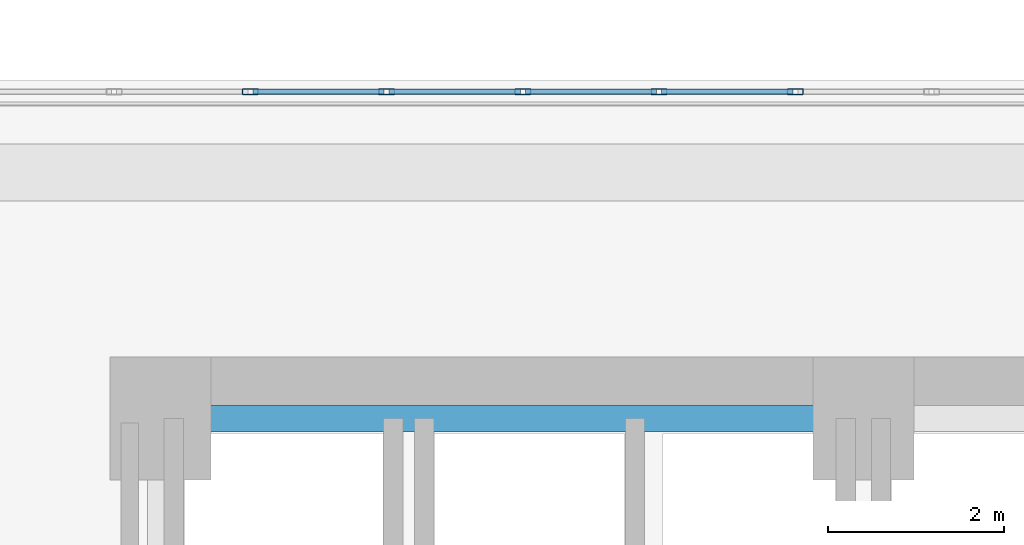
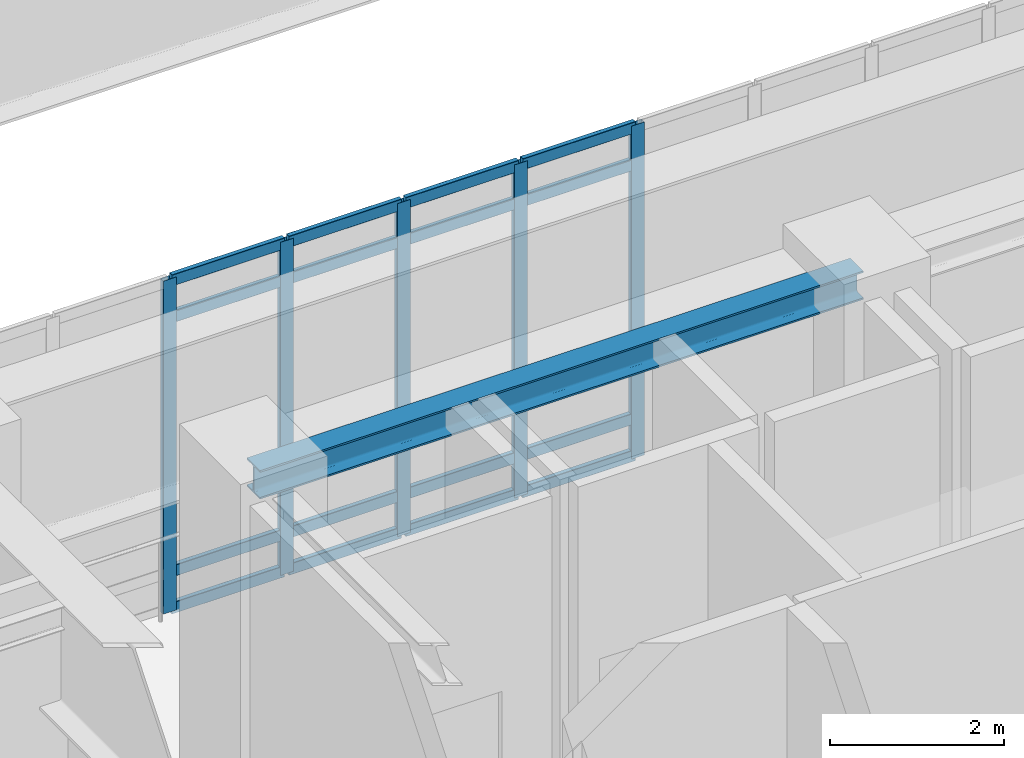
# One storey, part 10 of 25: 21 members, 1 beam, 1 element without a shape of its own.
"""IFC4 building model written with IfcOpenShell, lengths in metres."""

from ifc_helpers import new_model, si_unit, direction, frame, origin, origin_2d, place, context, subcontext, project, spatial, hollow_rectangle, i_section, extrude, material, layer, layer_set, material_profile, profile_set, type_object, element, aggregate, save


model = new_model("IFC4")

# Units and contexts
model_context = context("Model", 3, precision=1e-05, world=origin(), true_north=direction((0.0, 1.0)))
body_context = subcontext(model_context, "Body", "Model", "MODEL_VIEW")
ifc_project = project(units=[si_unit("LENGTHUNIT", "METRE"), si_unit("AREAUNIT", "SQUARE_METRE"), si_unit("VOLUMEUNIT", "CUBIC_METRE"), si_unit("PLANEANGLEUNIT", "RADIAN"), si_unit("MASSUNIT", "GRAM", prefix="KILO")], contexts=[model_context])

# Site, building, storey
site_placement = place(None, origin())
site = spatial("IfcSite", under=ifc_project, at=site_placement, CompositionType="ELEMENT")
building_placement = place(site_placement, origin())
building = spatial("IfcBuilding", under=site, at=building_placement, Name="Ndelora Gate Hotel", CompositionType="ELEMENT")
storey_placement = place(building_placement, frame((0.0, 0.0, 11.0)))
storey = spatial("IfcBuildingStorey", under=building, at=storey_placement, Name="L02", CompositionType="ELEMENT", Elevation=11.0)

# Beam
ifc_material_1 = material(Name="Steel S355", Category="steel")
ifc_material_profile_1 = material_profile(ifc_material_1, i_section(OverallWidth=0.300048828125, OverallDepth=0.39990234375, WebThickness=0.013427734375, FlangeThickness=0.02392578125, FilletRadius=0.027099609375, at=origin_2d()), Name="HEB 400")
ifc_profile_set_1 = profile_set([ifc_material_profile_1], Name="Steel S355")
beam_type = type_object("IfcBeamType", Name="BM-CORE-400", PredefinedType="BEAM", material=ifc_profile_set_1)
beam_placement = place(storey_placement, frame((-8.0, 6.60009765625, 4.4599609375), z_axis=(1.0, 0.0, 0.0), x_axis=(0.0, 1.0, 0.0)))
element("IfcBeam", 1, at=beam_placement, inside=storey, type_object=beam_type, Name="L02 Core Tie Girder CC7-CC6", PredefinedType="BEAM", context=body_context, shape_type="SweptSolid", body=[
    extrude(i_section(OverallWidth=0.300048828125, OverallDepth=0.39990234375, WebThickness=0.013427734375, FlangeThickness=0.02392578125, FilletRadius=0.027099609375, at=origin_2d()), origin(), (0.0, 0.0, 1.0), 8.0),
])

# Curtain wall, members
ifc_material_2 = material(Name="Bronze Anodised Unitised Aluminium and Low-E Glass", Category="aluminium")
ifc_layer = layer(ifc_material_2, 0.239990234375)
ifc_layer_set = layer_set([ifc_layer], Name="Bronze Anodised Unitised Aluminium and Low-E Glass")
curtain_wall_type = type_object("IfcCurtainWallType", Name="CW-SYS-1", PredefinedType="NOTDEFINED", material=ifc_layer_set)
curtain_wall_placement = place(storey_placement, origin())
curtain_wall = element("IfcCurtainWall", 2, at=curtain_wall_placement, inside=storey, type_object=curtain_wall_type, Name="L02 North Portal Arch Concourse Curtain Wall CW1", PredefinedType="NOTDEFINED")
ifc_material_3 = material(Name="Bronze Anodised Aluminium 6063-T6", Category="aluminium")
ifc_material_profile_2 = material_profile(ifc_material_3, hollow_rectangle(XDim=0.070068359375, YDim=0.179931640625, WallThickness=0.0048828125, InnerFilletRadius=0.0048828125, OuterFilletRadius=0.010009765625, at=origin_2d()), Name="ALU 180x70x5")
ifc_profile_set_2 = profile_set([ifc_material_profile_2], Name="Bronze Anodised Aluminium 6063-T6")
member_type_1 = type_object("IfcMemberType", Name="MB-CW-MUL180", PredefinedType="MULLION", material=ifc_profile_set_2)
member_1_placement = place(storey_placement, frame((-0.775390625, 10.320068359375, -0.00390625), z_axis=(0.0, 0.0, 1.0), x_axis=(0.0, -1.0, 0.0)))
member_1 = element("IfcMember", 3, at=member_1_placement, type_object=member_type_1, Name="CW1 mullion 8", PredefinedType="MULLION", context=body_context, shape_type="SweptSolid", body=[
    extrude(hollow_rectangle(XDim=0.070068359375, YDim=0.179931640625, WallThickness=0.0048828125, InnerFilletRadius=0.0048828125, OuterFilletRadius=0.010009765625, at=origin_2d()), origin(), (0.0, 0.0, 1.0), 4.66796875),
])
member_2_placement = place(storey_placement, frame((-2.326171875, 10.320068359375, -0.00390625), z_axis=(0.0, 0.0, 1.0), x_axis=(0.0, -1.0, 0.0)))
member_2 = element("IfcMember", 4, at=member_2_placement, type_object=member_type_1, Name="CW1 mullion 9", PredefinedType="MULLION", context=body_context, shape_type="SweptSolid", body=[
    extrude(hollow_rectangle(XDim=0.070068359375, YDim=0.179931640625, WallThickness=0.0048828125, InnerFilletRadius=0.0048828125, OuterFilletRadius=0.010009765625, at=origin_2d()), origin(), (0.0, 0.0, 1.0), 4.66796875),
])
member_3_placement = place(storey_placement, frame((-3.876953125, 10.320068359375, -0.00390625), z_axis=(0.0, 0.0, 1.0), x_axis=(0.0, -1.0, 0.0)))
member_3 = element("IfcMember", 5, at=member_3_placement, type_object=member_type_1, Name="CW1 mullion 10", PredefinedType="MULLION", context=body_context, shape_type="SweptSolid", body=[
    extrude(hollow_rectangle(XDim=0.070068359375, YDim=0.179931640625, WallThickness=0.0048828125, InnerFilletRadius=0.0048828125, OuterFilletRadius=0.010009765625, at=origin_2d()), origin(), (0.0, 0.0, 1.0), 4.66796875),
])
member_4_placement = place(storey_placement, frame((-5.427734375, 10.320068359375, -0.00390625), z_axis=(0.0, 0.0, 1.0), x_axis=(0.0, -1.0, 0.0)))
member_4 = element("IfcMember", 6, at=member_4_placement, type_object=member_type_1, Name="CW1 mullion 11", PredefinedType="MULLION", context=body_context, shape_type="SweptSolid", body=[
    extrude(hollow_rectangle(XDim=0.070068359375, YDim=0.179931640625, WallThickness=0.0048828125, InnerFilletRadius=0.0048828125, OuterFilletRadius=0.010009765625, at=origin_2d()), origin(), (0.0, 0.0, 1.0), 4.66796875),
])
member_5_placement = place(storey_placement, frame((-6.978515625, 10.320068359375, -0.00390625), z_axis=(0.0, 0.0, 1.0), x_axis=(0.0, -1.0, 0.0)))
member_5 = element("IfcMember", 7, at=member_5_placement, type_object=member_type_1, Name="CW1 mullion 12", PredefinedType="MULLION", context=body_context, shape_type="SweptSolid", body=[
    extrude(hollow_rectangle(XDim=0.070068359375, YDim=0.179931640625, WallThickness=0.0048828125, InnerFilletRadius=0.0048828125, OuterFilletRadius=0.010009765625, at=origin_2d()), origin(), (0.0, 0.0, 1.0), 4.66796875),
])
ifc_material_profile_3 = material_profile(ifc_material_3, hollow_rectangle(XDim=0.06494140625, YDim=0.159912109375, WallThickness=0.00390625, InnerFilletRadius=0.00390625, OuterFilletRadius=0.008056640625, at=origin_2d()), Name="ALU 160x65x4")
ifc_profile_set_3 = profile_set([ifc_material_profile_3], Name="Bronze Anodised Aluminium 6063-T6")
member_type_2 = type_object("IfcMemberType", Name="MB-CW-TRN150", PredefinedType="USERDEFINED", material=ifc_profile_set_3)
member_6_placement = place(storey_placement, frame((-0.804443359375, 10.320068359375, 0.032470703125), z_axis=(-1.0, 0.0, 0.0), x_axis=(0.0, -1.0, 0.0)))
member_6 = element("IfcMember", 8, at=member_6_placement, type_object=member_type_2, Name="CW1 transom 8.1", ObjectType="TRANSOM", PredefinedType="USERDEFINED", context=body_context, shape_type="SweptSolid", body=[
    extrude(hollow_rectangle(XDim=0.06494140625, YDim=0.159912109375, WallThickness=0.00390625, InnerFilletRadius=0.00390625, OuterFilletRadius=0.008056640625, at=origin_2d()), origin(), (0.0, 0.0, 1.0), 1.49267578125),
])
member_7_placement = place(storey_placement, frame((-0.804443359375, 10.320068359375, 0.550048828125), z_axis=(-1.0, 0.0, 0.0), x_axis=(0.0, -1.0, 0.0)))
member_7 = element("IfcMember", 9, at=member_7_placement, type_object=member_type_2, Name="CW1 transom 8.2", ObjectType="TRANSOM", PredefinedType="USERDEFINED", context=body_context, shape_type="SweptSolid", body=[
    extrude(hollow_rectangle(XDim=0.06494140625, YDim=0.159912109375, WallThickness=0.00390625, InnerFilletRadius=0.00390625, OuterFilletRadius=0.008056640625, at=origin_2d()), origin(), (0.0, 0.0, 1.0), 1.49267578125),
])
member_8_placement = place(storey_placement, frame((-0.804443359375, 10.320068359375, 4.110107421875), z_axis=(-1.0, 0.0, 0.0), x_axis=(0.0, -1.0, 0.0)))
member_8 = element("IfcMember", 10, at=member_8_placement, type_object=member_type_2, Name="CW1 transom 8.3", ObjectType="TRANSOM", PredefinedType="USERDEFINED", context=body_context, shape_type="SweptSolid", body=[
    extrude(hollow_rectangle(XDim=0.06494140625, YDim=0.159912109375, WallThickness=0.00390625, InnerFilletRadius=0.00390625, OuterFilletRadius=0.008056640625, at=origin_2d()), origin(), (0.0, 0.0, 1.0), 1.49267578125),
])
member_9_placement = place(storey_placement, frame((-0.804443359375, 10.320068359375, 4.62744140625), z_axis=(-1.0, 0.0, 0.0), x_axis=(0.0, -1.0, 0.0)))
member_9 = element("IfcMember", 11, at=member_9_placement, type_object=member_type_2, Name="CW1 transom 8.4", ObjectType="TRANSOM", PredefinedType="USERDEFINED", context=body_context, shape_type="SweptSolid", body=[
    extrude(hollow_rectangle(XDim=0.06494140625, YDim=0.159912109375, WallThickness=0.00390625, InnerFilletRadius=0.00390625, OuterFilletRadius=0.008056640625, at=origin_2d()), origin(), (0.0, 0.0, 1.0), 1.49267578125),
])
member_10_placement = place(storey_placement, frame((-2.355224609375, 10.320068359375, 0.032470703125), z_axis=(-1.0, 0.0, 0.0), x_axis=(0.0, -1.0, 0.0)))
member_10 = element("IfcMember", 12, at=member_10_placement, type_object=member_type_2, Name="CW1 transom 9.1", ObjectType="TRANSOM", PredefinedType="USERDEFINED", context=body_context, shape_type="SweptSolid", body=[
    extrude(hollow_rectangle(XDim=0.06494140625, YDim=0.159912109375, WallThickness=0.00390625, InnerFilletRadius=0.00390625, OuterFilletRadius=0.008056640625, at=origin_2d()), origin(), (0.0, 0.0, 1.0), 1.49267578125),
])
member_11_placement = place(storey_placement, frame((-2.355224609375, 10.320068359375, 0.550048828125), z_axis=(-1.0, 0.0, 0.0), x_axis=(0.0, -1.0, 0.0)))
member_11 = element("IfcMember", 13, at=member_11_placement, type_object=member_type_2, Name="CW1 transom 9.2", ObjectType="TRANSOM", PredefinedType="USERDEFINED", context=body_context, shape_type="SweptSolid", body=[
    extrude(hollow_rectangle(XDim=0.06494140625, YDim=0.159912109375, WallThickness=0.00390625, InnerFilletRadius=0.00390625, OuterFilletRadius=0.008056640625, at=origin_2d()), origin(), (0.0, 0.0, 1.0), 1.49267578125),
])
member_12_placement = place(storey_placement, frame((-2.355224609375, 10.320068359375, 4.110107421875), z_axis=(-1.0, 0.0, 0.0), x_axis=(0.0, -1.0, 0.0)))
member_12 = element("IfcMember", 14, at=member_12_placement, type_object=member_type_2, Name="CW1 transom 9.3", ObjectType="TRANSOM", PredefinedType="USERDEFINED", context=body_context, shape_type="SweptSolid", body=[
    extrude(hollow_rectangle(XDim=0.06494140625, YDim=0.159912109375, WallThickness=0.00390625, InnerFilletRadius=0.00390625, OuterFilletRadius=0.008056640625, at=origin_2d()), origin(), (0.0, 0.0, 1.0), 1.49267578125),
])
member_13_placement = place(storey_placement, frame((-2.355224609375, 10.320068359375, 4.62744140625), z_axis=(-1.0, 0.0, 0.0), x_axis=(0.0, -1.0, 0.0)))
member_13 = element("IfcMember", 15, at=member_13_placement, type_object=member_type_2, Name="CW1 transom 9.4", ObjectType="TRANSOM", PredefinedType="USERDEFINED", context=body_context, shape_type="SweptSolid", body=[
    extrude(hollow_rectangle(XDim=0.06494140625, YDim=0.159912109375, WallThickness=0.00390625, InnerFilletRadius=0.00390625, OuterFilletRadius=0.008056640625, at=origin_2d()), origin(), (0.0, 0.0, 1.0), 1.49267578125),
])
member_14_placement = place(storey_placement, frame((-3.906005859375, 10.320068359375, 0.032470703125), z_axis=(-1.0, 0.0, 0.0), x_axis=(0.0, -1.0, 0.0)))
member_14 = element("IfcMember", 16, at=member_14_placement, type_object=member_type_2, Name="CW1 transom 10.1", ObjectType="TRANSOM", PredefinedType="USERDEFINED", context=body_context, shape_type="SweptSolid", body=[
    extrude(hollow_rectangle(XDim=0.06494140625, YDim=0.159912109375, WallThickness=0.00390625, InnerFilletRadius=0.00390625, OuterFilletRadius=0.008056640625, at=origin_2d()), origin(), (0.0, 0.0, 1.0), 1.49267578125),
])
member_15_placement = place(storey_placement, frame((-3.906005859375, 10.320068359375, 0.550048828125), z_axis=(-1.0, 0.0, 0.0), x_axis=(0.0, -1.0, 0.0)))
member_15 = element("IfcMember", 17, at=member_15_placement, type_object=member_type_2, Name="CW1 transom 10.2", ObjectType="TRANSOM", PredefinedType="USERDEFINED", context=body_context, shape_type="SweptSolid", body=[
    extrude(hollow_rectangle(XDim=0.06494140625, YDim=0.159912109375, WallThickness=0.00390625, InnerFilletRadius=0.00390625, OuterFilletRadius=0.008056640625, at=origin_2d()), origin(), (0.0, 0.0, 1.0), 1.49267578125),
])
member_16_placement = place(storey_placement, frame((-3.906005859375, 10.320068359375, 4.110107421875), z_axis=(-1.0, 0.0, 0.0), x_axis=(0.0, -1.0, 0.0)))
member_16 = element("IfcMember", 18, at=member_16_placement, type_object=member_type_2, Name="CW1 transom 10.3", ObjectType="TRANSOM", PredefinedType="USERDEFINED", context=body_context, shape_type="SweptSolid", body=[
    extrude(hollow_rectangle(XDim=0.06494140625, YDim=0.159912109375, WallThickness=0.00390625, InnerFilletRadius=0.00390625, OuterFilletRadius=0.008056640625, at=origin_2d()), origin(), (0.0, 0.0, 1.0), 1.49267578125),
])
member_17_placement = place(storey_placement, frame((-3.906005859375, 10.320068359375, 4.62744140625), z_axis=(-1.0, 0.0, 0.0), x_axis=(0.0, -1.0, 0.0)))
member_17 = element("IfcMember", 19, at=member_17_placement, type_object=member_type_2, Name="CW1 transom 10.4", ObjectType="TRANSOM", PredefinedType="USERDEFINED", context=body_context, shape_type="SweptSolid", body=[
    extrude(hollow_rectangle(XDim=0.06494140625, YDim=0.159912109375, WallThickness=0.00390625, InnerFilletRadius=0.00390625, OuterFilletRadius=0.008056640625, at=origin_2d()), origin(), (0.0, 0.0, 1.0), 1.49267578125),
])
member_18_placement = place(storey_placement, frame((-5.456787109375, 10.320068359375, 0.032470703125), z_axis=(-1.0, 0.0, 0.0), x_axis=(0.0, -1.0, 0.0)))
member_18 = element("IfcMember", 20, at=member_18_placement, type_object=member_type_2, Name="CW1 transom 11.1", ObjectType="TRANSOM", PredefinedType="USERDEFINED", context=body_context, shape_type="SweptSolid", body=[
    extrude(hollow_rectangle(XDim=0.06494140625, YDim=0.159912109375, WallThickness=0.00390625, InnerFilletRadius=0.00390625, OuterFilletRadius=0.008056640625, at=origin_2d()), origin(), (0.0, 0.0, 1.0), 1.49267578125),
])
member_19_placement = place(storey_placement, frame((-5.456787109375, 10.320068359375, 0.550048828125), z_axis=(-1.0, 0.0, 0.0), x_axis=(0.0, -1.0, 0.0)))
member_19 = element("IfcMember", 21, at=member_19_placement, type_object=member_type_2, Name="CW1 transom 11.2", ObjectType="TRANSOM", PredefinedType="USERDEFINED", context=body_context, shape_type="SweptSolid", body=[
    extrude(hollow_rectangle(XDim=0.06494140625, YDim=0.159912109375, WallThickness=0.00390625, InnerFilletRadius=0.00390625, OuterFilletRadius=0.008056640625, at=origin_2d()), origin(), (0.0, 0.0, 1.0), 1.49267578125),
])
member_20_placement = place(storey_placement, frame((-5.456787109375, 10.320068359375, 4.110107421875), z_axis=(-1.0, 0.0, 0.0), x_axis=(0.0, -1.0, 0.0)))
member_20 = element("IfcMember", 22, at=member_20_placement, type_object=member_type_2, Name="CW1 transom 11.3", ObjectType="TRANSOM", PredefinedType="USERDEFINED", context=body_context, shape_type="SweptSolid", body=[
    extrude(hollow_rectangle(XDim=0.06494140625, YDim=0.159912109375, WallThickness=0.00390625, InnerFilletRadius=0.00390625, OuterFilletRadius=0.008056640625, at=origin_2d()), origin(), (0.0, 0.0, 1.0), 1.49267578125),
])
member_21_placement = place(storey_placement, frame((-5.456787109375, 10.320068359375, 4.62744140625), z_axis=(-1.0, 0.0, 0.0), x_axis=(0.0, -1.0, 0.0)))
member_21 = element("IfcMember", 23, at=member_21_placement, type_object=member_type_2, Name="CW1 transom 11.4", ObjectType="TRANSOM", PredefinedType="USERDEFINED", context=body_context, shape_type="SweptSolid", body=[
    extrude(hollow_rectangle(XDim=0.06494140625, YDim=0.159912109375, WallThickness=0.00390625, InnerFilletRadius=0.00390625, OuterFilletRadius=0.008056640625, at=origin_2d()), origin(), (0.0, 0.0, 1.0), 1.49267578125),
])
aggregate(curtain_wall, [member_1, member_2, member_3, member_4, member_5, member_6, member_7, member_8, member_9, member_10, member_11, member_12, member_13, member_14, member_15, member_16, member_17, member_18, member_19, member_20, member_21])

save(model, "model.ifc")
